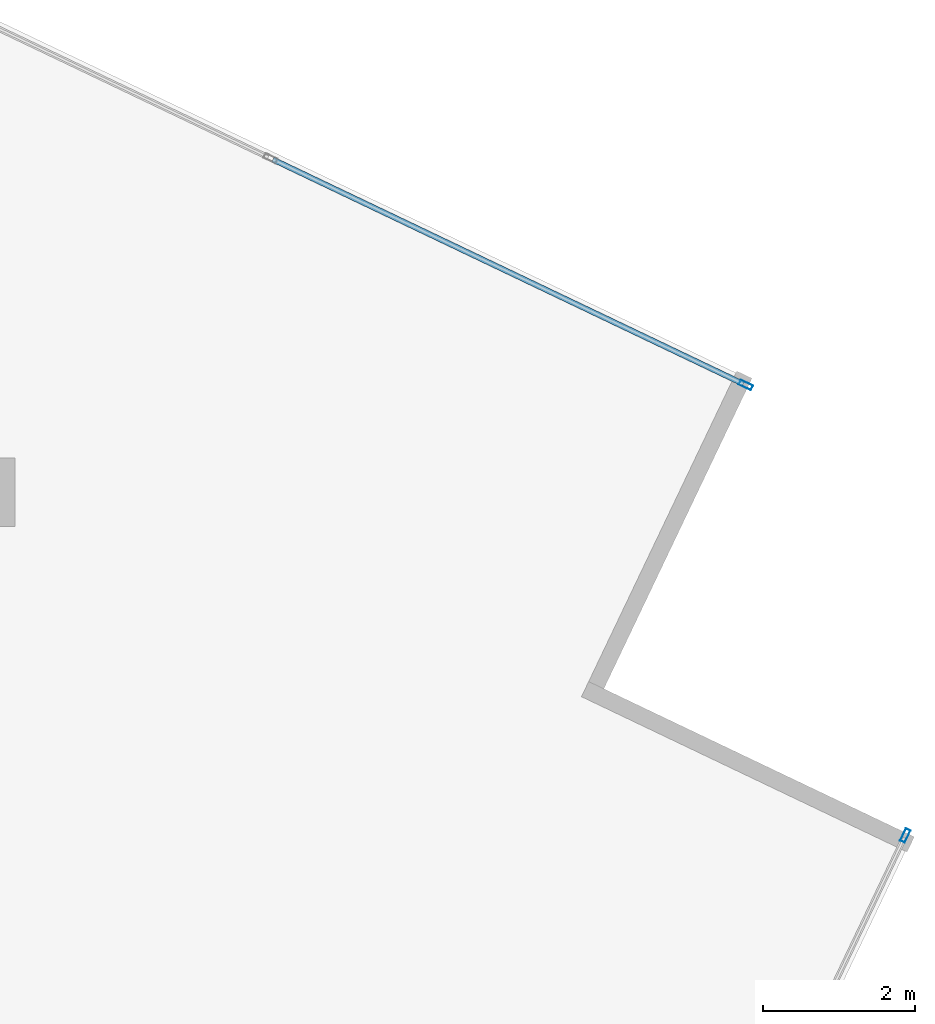
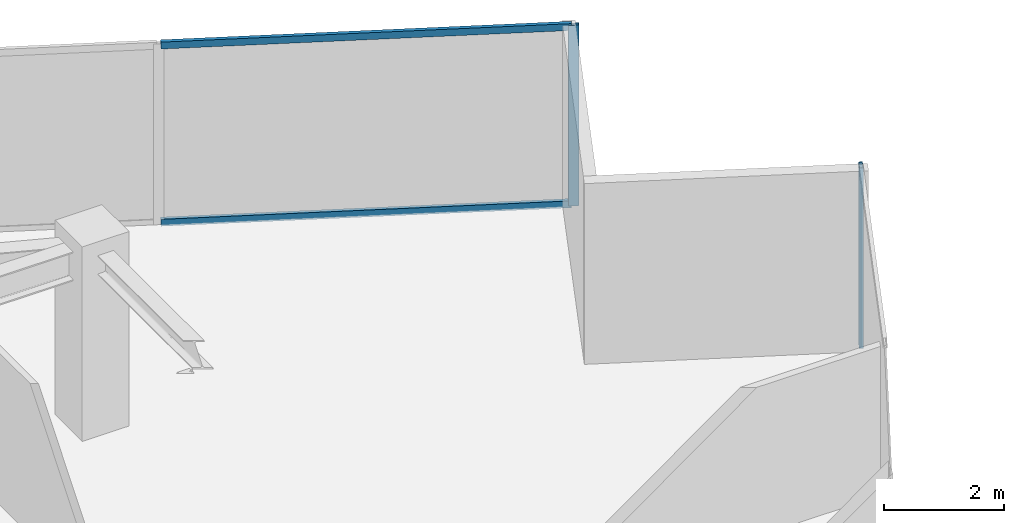
# One storey, part 19 of 25: 4 members, 2 elements without a shape of their own.
"""IFC4 building model written with IfcOpenShell, lengths in metres."""

import ifcopenshell
import ifcopenshell.guid

model = None  # the IFC model being written
_history = None  # IfcOwnerHistory: only IFC2X3 demands one
_inside = {}  # id of a spatial element -> (the spatial element, [elements in it])
_under = {}  # id of a project, library or spatial element -> (it, [spatial elements below it])
_declared = {}  # id of a project -> (the project, [libraries it declares])
_typed = {}  # id of a type object -> (the type object, [elements of that type])
_made_of = {}  # id of a material, layer set ... -> (it, [elements and type objects made of it])


def new_model(schema):
    """Start an empty IFC model of exactly this schema.

    Asked for "IFC4X3", IfcOpenShell would pick the latest addendum, in which some entities
    have other attributes; the version numbers below select the first issue.
    IFC2X3 requires an IfcOwnerHistory on every rooted entity: one is made here for all.
    """
    global model, _history
    if schema == "IFC4X3":
        model = ifcopenshell.file(schema_version=(4, 3, 0, 0))
    else:
        model = ifcopenshell.file(schema=schema)
    _inside.clear()
    _under.clear()
    _declared.clear()
    _typed.clear()
    _made_of.clear()
    _history = None
    if model.schema == "IFC2X3":
        org = make("IfcOrganization", Name="unknown")
        user = make(
            "IfcPersonAndOrganization",
            ThePerson=make("IfcPerson", FamilyName="unknown"),
            TheOrganization=org,
        )
        app = make(
            "IfcApplication",
            ApplicationDeveloper=org,
            Version="unknown",
            ApplicationFullName="unknown",
            ApplicationIdentifier="unknown",
        )
        _history = make(
            "IfcOwnerHistory",
            OwningUser=user,
            OwningApplication=app,
            ChangeAction="ADDED",
            CreationDate=0,
        )
    return model


def make(cls, **values):
    """One entity of the class cls with the attributes given. An attribute that is None is left unset."""
    return model.create_entity(
        cls, **{name: value for name, value in values.items() if value is not None}
    )


def rooted(cls, **values):
    """An entity with a GlobalId (a new one), such as an element, a storey or a relation."""
    return make(cls, GlobalId=ifcopenshell.guid.new(), OwnerHistory=_history, **values)


def si_unit(unit_type, name, prefix=None):
    """IfcSIUnit, for example si_unit("LENGTHUNIT", "METRE", prefix="MILLI")."""
    return make("IfcSIUnit", UnitType=unit_type, Prefix=prefix, Name=name)


def assignment(units):
    """IfcUnitAssignment: the units of a project."""
    return None if units is None else make("IfcUnitAssignment", Units=units)


def point(xyz):
    """IfcCartesianPoint."""
    return None if xyz is None else make("IfcCartesianPoint", Coordinates=xyz)


def direction(xyz):
    """IfcDirection."""
    return None if xyz is None else make("IfcDirection", DirectionRatios=xyz)


def frame(location, z_axis=None, x_axis=None):
    """IfcAxis2Placement3D, a coordinate frame: its origin and axes. An axis left out is left unset."""
    return make(
        "IfcAxis2Placement3D",
        Location=point(location),
        Axis=direction(z_axis),
        RefDirection=direction(x_axis),
    )


def frame_2d(location, x_axis=None):
    """IfcAxis2Placement2D, a coordinate frame in the plane: its origin and x axis."""
    return make(
        "IfcAxis2Placement2D", Location=point(location), RefDirection=direction(x_axis)
    )


def origin():
    """The frame at (0, 0, 0) with its axes left unset."""
    return frame((0.0, 0.0, 0.0))


def origin_2d():
    """The frame at (0, 0) in the plane with its x axis left unset."""
    return frame_2d((0.0, 0.0))


def place(relative_to, where):
    """IfcLocalPlacement: puts the frame where relative to a parent placement (None: the world)."""
    return make(
        "IfcLocalPlacement", PlacementRelTo=relative_to, RelativePlacement=where
    )


def context(
    kind, dimensions, precision=None, world=None, true_north=None, identifier=None
):
    """IfcGeometricRepresentationContext, for example the 3D "Model" context."""
    return make(
        "IfcGeometricRepresentationContext",
        ContextIdentifier=identifier,
        ContextType=kind,
        CoordinateSpaceDimension=dimensions,
        Precision=precision,
        WorldCoordinateSystem=world,
        TrueNorth=true_north,
    )


def subcontext(parent, identifier, kind, view, scale=None):
    """IfcGeometricRepresentationSubContext, for example "Body" below "Model"."""
    return make(
        "IfcGeometricRepresentationSubContext",
        ContextIdentifier=identifier,
        ContextType=kind,
        ParentContext=parent,
        TargetScale=scale,
        TargetView=view,
    )


def project(units=None, contexts=None):
    """IfcProject with its units and contexts."""
    return rooted(
        "IfcProject",
        Name="project",
        RepresentationContexts=contexts,
        UnitsInContext=assignment(units),
    )


def spatial(cls, under=None, at=None, **own):
    """A site, building, storey or space (cls), placed at a placement, below another one or the project."""
    s = rooted(cls, ObjectPlacement=at, **own)
    if under is not None:
        _under.setdefault(under.id(), (under, []))[1].append(s)
    return s


def profile(cls, at=None, kind="AREA", **sizes):
    """A parametric profile (cls). Its sizes go by their IFC names, for example OverallWidth=200.0."""
    return make(cls, ProfileType=kind, Position=at, **sizes)


def hollow_rectangle(**sizes):
    """IfcRectangleHollowProfileDef."""
    return profile("IfcRectangleHollowProfileDef", **sizes)


def extrude(swept, where, along, depth):
    """IfcExtrudedAreaSolid: the profile swept, set in the frame where, extruded along a direction by depth."""
    return make(
        "IfcExtrudedAreaSolid",
        SweptArea=swept,
        Position=where,
        ExtrudedDirection=direction(along),
        Depth=depth,
    )


def shape(context_of_items, identifier, shape_type, items):
    """IfcShapeRepresentation: the items that make up one representation, for example the "Body"."""
    return make(
        "IfcShapeRepresentation",
        ContextOfItems=context_of_items,
        RepresentationIdentifier=identifier,
        RepresentationType=shape_type,
        Items=items,
    )


def source(mapping_origin, context_of_items, identifier, shape_type, items):
    """IfcRepresentationMap: a shape defined once, which mapped items show again and again."""
    return make(
        "IfcRepresentationMap",
        MappingOrigin=mapping_origin,
        MappedRepresentation=shape(context_of_items, identifier, shape_type, items),
    )


def transform(
    local_origin,
    x_axis=None,
    y_axis=None,
    z_axis=None,
    scale=None,
    scale2=None,
    scale3=None,
    uniform=True,
):
    """IfcCartesianTransformationOperator3D, or its non-uniform kind. x_axis, y_axis, z_axis: its Axis1, 2, 3."""
    if uniform:
        return make(
            "IfcCartesianTransformationOperator3D",
            Axis1=direction(x_axis),
            Axis2=direction(y_axis),
            LocalOrigin=point(local_origin),
            Scale=scale,
            Axis3=direction(z_axis),
        )
    return make(
        "IfcCartesianTransformationOperator3DnonUniform",
        Axis1=direction(x_axis),
        Axis2=direction(y_axis),
        LocalOrigin=point(local_origin),
        Scale=scale,
        Axis3=direction(z_axis),
        Scale2=scale2,
        Scale3=scale3,
    )


def mapped(mapping_source, mapping_target):
    """IfcMappedItem: shows the shape of a source again, moved by a transform."""
    return make(
        "IfcMappedItem", MappingSource=mapping_source, MappingTarget=mapping_target
    )


def material(Name=None, Category=None):
    """IfcMaterial."""
    return make("IfcMaterial", Name=Name, Category=Category)


def material_profile(
    of_material, cross_section, Name=None, Category=None, Priority=None
):
    """IfcMaterialProfile: a cross section and its material."""
    return make(
        "IfcMaterialProfile",
        Name=Name,
        Material=of_material,
        Profile=cross_section,
        Priority=Priority,
        Category=Category,
    )


def profile_set(profiles, Name=None, composite=None):
    """IfcMaterialProfileSet."""
    return make(
        "IfcMaterialProfileSet",
        Name=Name,
        MaterialProfiles=profiles,
        CompositeProfile=composite,
    )


def made_of(thing, what):
    """Note that an element or type object is made of a material, layer set ...; save() writes the relation."""
    if what is not None:
        _made_of.setdefault(what.id(), (what, []))[1].append(thing)
    return thing


def type_object(cls, material=None, **own):
    """A type object (cls), such as IfcWallType, which elements share."""
    return made_of(rooted(cls, **own), material)


def type_shapes(of_type, sources):
    """Give a type object the sources (RepresentationMaps) that its elements show as mapped items."""
    of_type.RepresentationMaps = sources


def element(
    cls,
    number,
    at=None,
    inside=None,
    cuts=None,
    type_object=None,
    material=None,
    context=None,
    identifier="Body",
    shape_type=None,
    held_by="IfcProductDefinitionShape",
    body=None,
    shapes=None,
    **own,
):
    """One element of the class cls, such as IfcWall. Its Tag is "e" and its number.

    at: its placement. inside: the storey or other place that contains it. cuts: it is an
    opening in that element (IfcRelVoidsElement). A single representation is given by context,
    identifier, shape_type and body (its items); several are given by shapes. held_by: the class
    of the entity that holds the representations. save() writes the other relations.
    """
    e = rooted(cls, Tag="e%d" % number, ObjectPlacement=at, **own)
    if body is not None:
        shapes = [shape(context, identifier, shape_type, body)]
    if shapes is not None:
        e.Representation = make(held_by, Representations=shapes)
    if inside is not None:
        _inside.setdefault(inside.id(), (inside, []))[1].append(e)
    if cuts is not None:
        rooted(
            "IfcRelVoidsElement", RelatingBuildingElement=cuts, RelatedOpeningElement=e
        )
    if type_object is not None:
        _typed.setdefault(type_object.id(), (type_object, []))[1].append(e)
    return made_of(e, material)


def aggregate(whole, parts):
    """IfcRelAggregates: a whole, such as a stair, and the parts it consists of."""
    return rooted("IfcRelAggregates", RelatingObject=whole, RelatedObjects=parts)


def save(model, path):
    """Write the relations noted so far, then the file.

    IfcRelAggregates (storeys below a building ...), IfcRelContainedInSpatialStructure (elements
    in a storey), IfcRelDefinesByType, IfcRelAssociatesMaterial and IfcRelDeclares: one each for
    every whole, place, type object, material and project.
    """
    for whole, parts in _under.values():
        aggregate(whole, parts)
    for where, things in _inside.values():
        rooted(
            "IfcRelContainedInSpatialStructure",
            RelatedElements=things,
            RelatingStructure=where,
        )
    for kind, things in _typed.values():
        rooted("IfcRelDefinesByType", RelatedObjects=things, RelatingType=kind)
    for what, things in _made_of.values():
        rooted("IfcRelAssociatesMaterial", RelatedObjects=things, RelatingMaterial=what)
    for by, libraries in _declared.values():
        rooted("IfcRelDeclares", RelatingContext=by, RelatedDefinitions=libraries)
    model.write(path)


model = new_model("IFC4")

# Units and contexts
model_context = context("Model", 3, precision=1e-05, world=origin(), true_north=direction((0.0, 1.0)))
body_context = subcontext(model_context, "Body", "Model", "MODEL_VIEW")
ifc_project = project(units=[si_unit("LENGTHUNIT", "METRE"), si_unit("AREAUNIT", "SQUARE_METRE"), si_unit("VOLUMEUNIT", "CUBIC_METRE"), si_unit("PLANEANGLEUNIT", "RADIAN"), si_unit("MASSUNIT", "GRAM", prefix="KILO")], contexts=[model_context])

# Site, building, storey
site_placement = place(None, origin())
site = spatial("IfcSite", under=ifc_project, at=site_placement, CompositionType="ELEMENT")
building_placement = place(site_placement, origin())
building = spatial("IfcBuilding", under=site, at=building_placement, Name="Krantzveldt Concourse Tower", CompositionType="ELEMENT")
storey_placement = place(building_placement, frame((0.0, 0.0, 146.199951171875)))
storey = spatial("IfcBuildingStorey", under=building, at=storey_placement, Name="L35", CompositionType="ELEMENT", Elevation=146.199951171875)

# Curtain wall, member
ifc_material = material(Name="Anodised aluminium 6063-T6", Category="aluminium")
curtain_wall_type = type_object("IfcCurtainWallType", Name="CW3", PredefinedType="USERDEFINED", material=ifc_material)
curtain_wall_1_placement = place(storey_placement, origin())
curtain_wall_1 = element("IfcCurtainWall", 1, at=curtain_wall_1_placement, inside=storey, type_object=curtain_wall_type, Name="CW-L35-F07", ObjectType="UNITISED CURTAIN WALL", PredefinedType="USERDEFINED")
ifc_material_profile_1 = material_profile(ifc_material, hollow_rectangle(XDim=0.070068359375, YDim=0.179931640625, WallThickness=0.0048828125, at=origin_2d()), Name="Anodised aluminium 6063-T6", Category="aluminium")
ifc_profile_set_1 = profile_set([ifc_material_profile_1], Name="Anodised aluminium 6063-T6 - ALU-MULL 180x70x5")
member_type_1 = type_object("IfcMemberType", Name="CW-MUL-180", PredefinedType="MULLION", material=ifc_profile_set_1)
shared_shape_1 = source(origin(), body_context, "Body", "SweptSolid", [
    extrude(hollow_rectangle(XDim=0.070068359375, YDim=0.179931640625, WallThickness=0.0048828125, at=origin_2d()), origin(), (0.0, 0.0, 1.0), 3.670166015625),
])
type_shapes(member_type_1, [shared_shape_1])
member_1_placement = place(storey_placement, frame((63.1611328125, 32.98388671875, 0.0), z_axis=(0.0, 0.0, 1.0), x_axis=(-0.902585252784, 0.430511162987, 0.0)))
member_1 = element("IfcMember", 2, at=member_1_placement, type_object=member_type_1, Name="CW-Z34 mullion 6", PredefinedType="MULLION", context=body_context, shape_type="MappedRepresentation", body=[
    mapped(shared_shape_1, transform((0.0, 0.0, 0.0), x_axis=(1.0, 0.0, 0.0), y_axis=(0.0, 1.0, 0.0), z_axis=(0.0, 0.0, 1.0), scale=1.0)),
])
aggregate(curtain_wall_1, [member_1])

# Curtain wall, members
curtain_wall_2_placement = place(storey_placement, origin())
curtain_wall_2 = element("IfcCurtainWall", 3, at=curtain_wall_2_placement, inside=storey, type_object=curtain_wall_type, Name="CW-L35-F10", ObjectType="UNITISED CURTAIN WALL", PredefinedType="USERDEFINED")
member_2_placement = place(storey_placement, frame((61.062744140625, 38.90966796875, 0.0), z_axis=(0.0, 0.0, 1.0), x_axis=(-0.430511162987, -0.902585252784, 0.0)))
member_2 = element("IfcMember", 4, at=member_2_placement, type_object=member_type_1, Name="CW-Z34 mullion 1", PredefinedType="MULLION", context=body_context, shape_type="MappedRepresentation", body=[
    mapped(shared_shape_1, transform((0.0, 0.0, 0.0), x_axis=(1.0, 0.0, 0.0), y_axis=(0.0, 1.0, 0.0), z_axis=(0.0, 0.0, 1.0), scale=1.0)),
])
ifc_material_profile_2 = material_profile(ifc_material, hollow_rectangle(XDim=0.070068359375, YDim=0.139892578125, WallThickness=0.0048828125, at=origin_2d()), Name="Anodised aluminium 6063-T6", Category="aluminium")
ifc_profile_set_2 = profile_set([ifc_material_profile_2], Name="Anodised aluminium 6063-T6 - ALU-TRAN 140x70x5")
member_type_2 = type_object("IfcMemberType", Name="CW-TRN-150", PredefinedType="USERDEFINED", material=ifc_profile_set_2)
shared_shape_2 = source(origin(), body_context, "Body", "SweptSolid", [
    extrude(hollow_rectangle(XDim=0.070068359375, YDim=0.139892578125, WallThickness=0.0048828125, at=origin_2d()), origin(), (0.0, 0.0, 1.0), 6.85498046875),
])
type_shapes(member_type_2, [shared_shape_2])
member_3_placement = place(storey_placement, frame((61.03125, 38.924560546875, 0.03515625), z_axis=(-0.902585158764, 0.430511360105, 0.0), x_axis=(-0.430511360105, -0.902585158764, 0.0)))
member_3 = element("IfcMember", 5, at=member_3_placement, type_object=member_type_2, Name="CW-Z34 transom 1.1", ObjectType="TRANSOM", PredefinedType="USERDEFINED", context=body_context, shape_type="MappedRepresentation", body=[
    mapped(shared_shape_2, transform((0.0, 0.0, 0.0), x_axis=(1.0, 0.0, 0.0), y_axis=(0.0, 1.0, 0.0), z_axis=(0.0, 0.0, 1.0), scale=1.0)),
])
member_4_placement = place(storey_placement, frame((61.03125, 38.924560546875, 3.635009765625), z_axis=(-0.902585158764, 0.430511360105, 0.0), x_axis=(-0.430511360105, -0.902585158764, 0.0)))
member_4 = element("IfcMember", 6, at=member_4_placement, type_object=member_type_2, Name="CW-Z34 transom 1.2", ObjectType="TRANSOM", PredefinedType="USERDEFINED", context=body_context, shape_type="MappedRepresentation", body=[
    mapped(shared_shape_2, transform((0.0, 0.0, 0.0), x_axis=(1.0, 0.0, 0.0), y_axis=(0.0, 1.0, 0.0), z_axis=(0.0, 0.0, 1.0), scale=1.0)),
])
aggregate(curtain_wall_2, [member_2, member_3, member_4])

save(model, "model.ifc")
